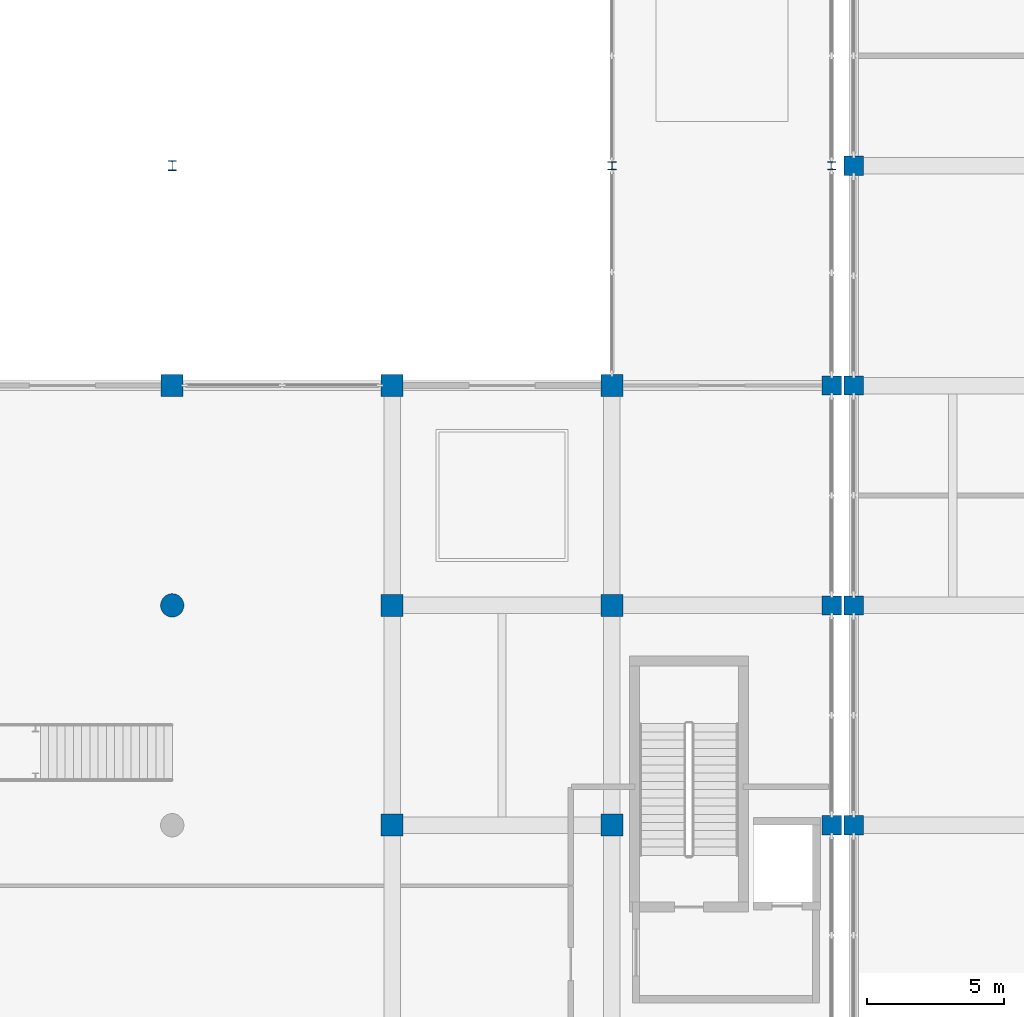
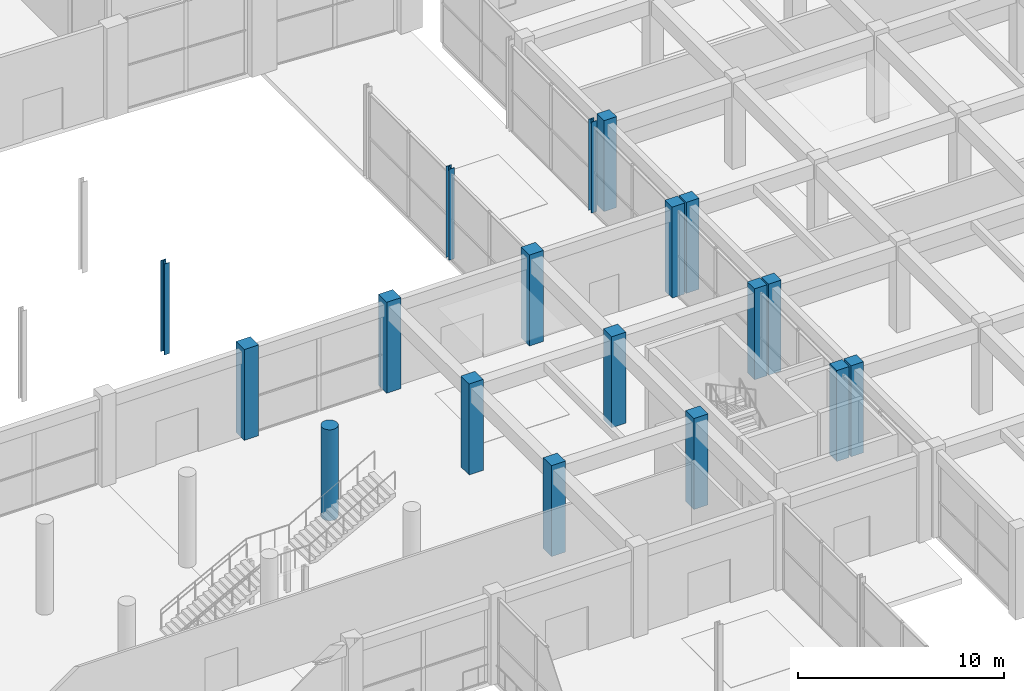
# One storey, part 8 of 86: 18 columns.
"""IFC4 building model written with IfcOpenShell, lengths in metres."""

from ifc_helpers import new_model, si_unit, direction, frame, origin, origin_2d, place, context, subcontext, project, spatial, rectangle, circle, i_section, extrude, material, material_profile, profile_set, type_object, element, save


model = new_model("IFC4")

# Units and contexts
model_context = context("Model", 3, precision=1e-05, world=origin(), true_north=direction((0.0, 1.0)))
body_context = subcontext(model_context, "Body", "Model", "MODEL_VIEW")
ifc_project = project(units=[si_unit("LENGTHUNIT", "METRE"), si_unit("AREAUNIT", "SQUARE_METRE"), si_unit("VOLUMEUNIT", "CUBIC_METRE"), si_unit("PLANEANGLEUNIT", "RADIAN"), si_unit("MASSUNIT", "GRAM", prefix="KILO")], contexts=[model_context])

# Site, building, storey
site_placement = place(None, origin())
site = spatial("IfcSite", under=ifc_project, at=site_placement, CompositionType="ELEMENT")
building_placement = place(site_placement, origin())
building = spatial("IfcBuilding", under=site, at=building_placement, Name="Kenh Van Central Station", CompositionType="ELEMENT")
storey_placement = place(building_placement, origin())
storey = spatial("IfcBuildingStorey", under=building, at=storey_placement, Name="L00", CompositionType="ELEMENT", Elevation=0.0)

# Columns
ifc_material_1 = material(Name="Concrete C40/50", Category="concrete")
ifc_material_profile_1 = material_profile(ifc_material_1, rectangle(XDim=0.699951171875, YDim=0.699951171875, at=origin_2d()), Name="RC 700x700")
ifc_profile_set_1 = profile_set([ifc_material_profile_1], Name="Concrete C40/50")
column_type_1 = type_object("IfcColumnType", Name="COL-RC-700x700", PredefinedType="COLUMN", material=ifc_profile_set_1)
for number, where, z_axis, x_axis, name in (
    (1, (120.0, 24.0, 0.0), (0.0, 0.0, 1.0), (1.0, 0.0, 0.0), "L00 column CC-120-024"),
    (2, (120.0, 32.0, 0.0), (0.0, 0.0, 1.0), (1.0, 0.0, 0.0), "L00 column CC-120-032"),
    (3, (120.0, 40.0, 0.0), (0.0, 0.0, 1.0), (1.0, 0.0, 0.0), "L00 column CC-120-040"),
    (4, (120.800048828125, 24.0, 0.0), (0.0, 0.0, 1.0), (1.0, 0.0, 0.0), "L00 column CE-1208-024"),
    (5, (120.800048828125, 32.0, 0.0), (0.0, 0.0, 1.0), (1.0, 0.0, 0.0), "L00 column CE-1208-032"),
    (6, (120.800048828125, 40.0, 0.0), (0.0, 0.0, 1.0), (1.0, 0.0, 0.0), "L00 column CE-1208-040"),
    (7, (120.800048828125, 48.0, 0.0), (0.0, 0.0, 1.0), (1.0, 0.0, 0.0), "L00 column CE-1208-048"),
):
    element("IfcColumn", number, at=place(storey_placement, frame(where, z_axis=z_axis, x_axis=x_axis)), inside=storey, type_object=column_type_1, Name=name, PredefinedType="COLUMN", context=body_context, shape_type="SweptSolid", body=[
        extrude(rectangle(XDim=0.699951171875, YDim=0.699951171875, at=origin_2d()), origin(), (0.0, 0.0, 1.0), 5.39990234375),
    ])
ifc_material_profile_2 = material_profile(ifc_material_1, rectangle(XDim=0.800048828125, YDim=0.800048828125, at=origin_2d()), Name="RC 800x800")
ifc_profile_set_2 = profile_set([ifc_material_profile_2], Name="Concrete C40/50")
column_type_2 = type_object("IfcColumnType", Name="COL-RC-800x800", PredefinedType="COLUMN", material=ifc_profile_set_2)
for number, where, z_axis, x_axis, name in (
    (8, (96.0, 40.0, 0.0), (0.0, 0.0, 1.0), (1.0, 0.0, 0.0), "L00 column CC-096-040"),
    (9, (104.0, 24.0, 0.0), (0.0, 0.0, 1.0), (1.0, 0.0, 0.0), "L00 column CC-104-024"),
    (10, (104.0, 32.0, 0.0), (0.0, 0.0, 1.0), (1.0, 0.0, 0.0), "L00 column CC-104-032"),
    (11, (104.0, 40.0, 0.0), (0.0, 0.0, 1.0), (1.0, 0.0, 0.0), "L00 column CC-104-040"),
    (12, (112.0, 24.0, 0.0), (0.0, 0.0, 1.0), (1.0, 0.0, 0.0), "L00 column CC-112-024"),
    (13, (112.0, 32.0, 0.0), (0.0, 0.0, 1.0), (1.0, 0.0, 0.0), "L00 column CC-112-032"),
    (14, (112.0, 40.0, 0.0), (0.0, 0.0, 1.0), (1.0, 0.0, 0.0), "L00 column CC-112-040"),
):
    element("IfcColumn", number, at=place(storey_placement, frame(where, z_axis=z_axis, x_axis=x_axis)), inside=storey, type_object=column_type_2, Name=name, PredefinedType="COLUMN", context=body_context, shape_type="SweptSolid", body=[
        extrude(rectangle(XDim=0.800048828125, YDim=0.800048828125, at=origin_2d()), origin(), (0.0, 0.0, 1.0), 5.39990234375),
    ])
ifc_material_profile_3 = material_profile(ifc_material_1, circle(Radius=0.425048828125, at=origin_2d()), Name="RC D850")
ifc_profile_set_3 = profile_set([ifc_material_profile_3], Name="Concrete C40/50")
column_type_3 = type_object("IfcColumnType", Name="COL-RC-D850", PredefinedType="COLUMN", material=ifc_profile_set_3)
column_1_placement = place(storey_placement, frame((96.0, 32.0, 0.0), z_axis=(0.0, 0.0, 1.0), x_axis=(1.0, 0.0, 0.0)))
element("IfcColumn", 15, at=column_1_placement, inside=storey, type_object=column_type_3, Name="L00 column CC-096-032", PredefinedType="COLUMN", context=body_context, shape_type="SweptSolid", body=[
    extrude(circle(Radius=0.425048828125, at=origin_2d()), origin(), (0.0, 0.0, 1.0), 5.39990234375),
])
ifc_material_2 = material(Name="Steel S355", Category="steel")
ifc_material_profile_4 = material_profile(ifc_material_2, i_section(OverallWidth=0.300048828125, OverallDepth=0.300048828125, WebThickness=0.010986328125, FlangeThickness=0.01904296875, FilletRadius=0.027099609375, at=origin_2d()), Name="HEB 300")
ifc_profile_set_4 = profile_set([ifc_material_profile_4], Name="Steel S355")
column_type_4 = type_object("IfcColumnType", Name="COL-STL-HEB300", PredefinedType="COLUMN", material=ifc_profile_set_4)
for number, where, z_axis, x_axis, name in (
    (16, (112.0, 48.0, 0.0), (0.0, 0.0, 1.0), (1.0, 0.0, 0.0), "L00 column CL-112-048"),
    (17, (120.0, 48.0, 0.0), (0.0, 0.0, 1.0), (1.0, 0.0, 0.0), "L00 column CL-120-048"),
):
    element("IfcColumn", number, at=place(storey_placement, frame(where, z_axis=z_axis, x_axis=x_axis)), inside=storey, type_object=column_type_4, Name=name, PredefinedType="COLUMN", context=body_context, shape_type="SweptSolid", body=[
        extrude(i_section(OverallWidth=0.300048828125, OverallDepth=0.300048828125, WebThickness=0.010986328125, FlangeThickness=0.01904296875, FilletRadius=0.027099609375, at=origin_2d()), origin(), (0.0, 0.0, 1.0), 5.39990234375),
    ])
ifc_material_profile_5 = material_profile(ifc_material_2, i_section(OverallWidth=0.300048828125, OverallDepth=0.360107421875, WebThickness=0.012451171875, FlangeThickness=0.0224609375, FilletRadius=0.027099609375, at=origin_2d()), Name="HEB 360")
ifc_profile_set_5 = profile_set([ifc_material_profile_5], Name="Steel S355")
column_type_5 = type_object("IfcColumnType", Name="COL-STL-HEB360", PredefinedType="COLUMN", material=ifc_profile_set_5)
column_2_placement = place(storey_placement, frame((96.0, 48.0, 0.0), z_axis=(0.0, 0.0, 1.0), x_axis=(1.0, 0.0, 0.0)))
element("IfcColumn", 18, at=column_2_placement, inside=storey, type_object=column_type_5, Name="L00 column CB-096-048", PredefinedType="COLUMN", context=body_context, shape_type="SweptSolid", body=[
    extrude(i_section(OverallWidth=0.300048828125, OverallDepth=0.360107421875, WebThickness=0.012451171875, FlangeThickness=0.0224609375, FilletRadius=0.027099609375, at=origin_2d()), origin(), (0.0, 0.0, 1.0), 5.39990234375),
])

save(model, "model.ifc")
